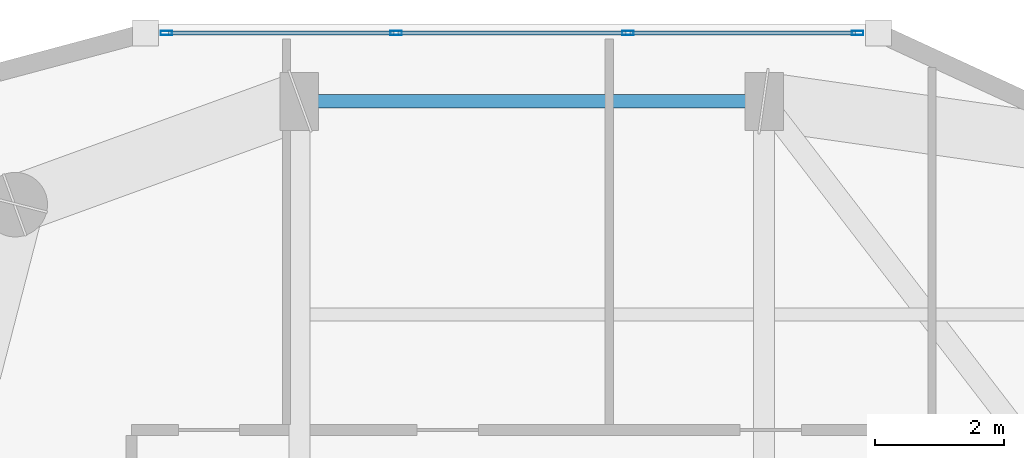
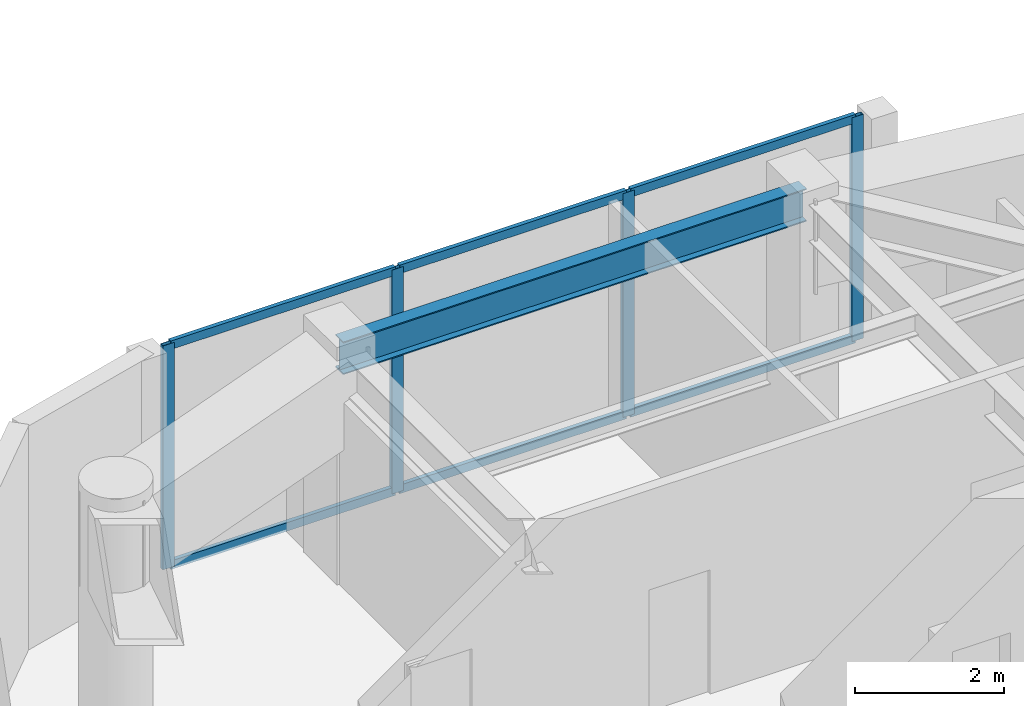
# One storey, part 6 of 15: 10 members, 1 beam, 1 element without a shape of its own.
"""IFC4 building model written with IfcOpenShell, lengths in metres."""

from ifc_helpers import new_model, si_unit, direction, frame, origin, origin_2d, place, context, subcontext, project, spatial, hollow_rectangle, i_section, extrude, material, layer, layer_set, material_profile, profile_set, type_object, element, aggregate, save


model = new_model("IFC4")

# Units and contexts
model_context = context("Model", 3, precision=1e-05, world=origin(), true_north=direction((0.0, 1.0)))
body_context = subcontext(model_context, "Body", "Model", "MODEL_VIEW")
ifc_project = project(units=[si_unit("LENGTHUNIT", "METRE"), si_unit("AREAUNIT", "SQUARE_METRE"), si_unit("VOLUMEUNIT", "CUBIC_METRE"), si_unit("PLANEANGLEUNIT", "RADIAN"), si_unit("MASSUNIT", "GRAM", prefix="KILO")], contexts=[model_context])

# Site, building, storey
site_placement = place(None, origin())
site = spatial("IfcSite", under=ifc_project, at=site_placement, CompositionType="ELEMENT")
building_placement = place(site_placement, origin())
building = spatial("IfcBuilding", under=site, at=building_placement, Name="Kiyonajd Concourse Tower", CompositionType="ELEMENT")
storey_placement = place(building_placement, frame((0.0, 0.0, 258.89990234375)))
storey = spatial("IfcBuildingStorey", under=building, at=storey_placement, Name="L65", CompositionType="ELEMENT", Elevation=258.89990234375)

# Beam
ifc_material_1 = material(Name="Steel ASTM A992 Grade 50", Category="steel")
ifc_material_profile_1 = material_profile(ifc_material_1, i_section(OverallWidth=0.2109375, OverallDepth=0.5390625, WebThickness=0.01171875, FlangeThickness=0.018798828125, at=origin_2d()), Name="W530X109")
ifc_profile_set_1 = profile_set([ifc_material_profile_1], Name="Steel ASTM A992 Grade 50")
beam_type = type_object("IfcBeamType", Name="BM-SPAN-530B", PredefinedType="SPANDREL", material=ifc_profile_set_1)
beam_placement = place(storey_placement, frame((39.60009765625, 52.199951171875, 3.41064453125), z_axis=(-1.0, 0.0, 0.0), x_axis=(0.0, -1.0, 0.0)))
element("IfcBeam", 1, at=beam_placement, inside=storey, type_object=beam_type, Name="L65 Perimeter Bundled Tube Spandrel", PredefinedType="SPANDREL", context=body_context, shape_type="SweptSolid", body=[
    extrude(i_section(OverallWidth=0.2109375, OverallDepth=0.5390625, WebThickness=0.01171875, FlangeThickness=0.018798828125, at=origin_2d()), origin(), (0.0, 0.0, 1.0), 7.2001953125),
])

# Curtain wall, members
ifc_material_2 = material(Name="Thermally Broken Anodised Aluminium", Category="aluminium")
ifc_layer = layer(ifc_material_2, 0.179931640625)
ifc_layer_set = layer_set([ifc_layer], Name="Thermally Broken Anodised Aluminium")
curtain_wall_type = type_object("IfcCurtainWallType", Name="CW-SYS-04", PredefinedType="NOTDEFINED", material=ifc_layer_set)
curtain_wall_placement = place(storey_placement, origin())
curtain_wall = element("IfcCurtainWall", 2, at=curtain_wall_placement, inside=storey, type_object=curtain_wall_type, Name="L65 Unitised Curtain Wall CW4", PredefinedType="NOTDEFINED")
ifc_material_profile_2 = material_profile(ifc_material_2, hollow_rectangle(XDim=0.06494140625, YDim=0.179931640625, WallThickness=0.00390625, at=origin_2d()), Name="MULL-65x180")
ifc_profile_set_2 = profile_set([ifc_material_profile_2], Name="Thermally Broken Anodised Aluminium")
member_type_1 = type_object("IfcMemberType", Name="MB-CW-MULL1", PredefinedType="MULLION", material=ifc_profile_set_2)
member_1_placement = place(storey_placement, frame((30.3408203125, 53.260009765625, 0.0), z_axis=(0.0, 0.0, 1.0), x_axis=(0.0, 1.0, 0.0)))
member_1 = element("IfcMember", 3, at=member_1_placement, type_object=member_type_1, Name="CW4 mullion 1", PredefinedType="MULLION", context=body_context, shape_type="SweptSolid", body=[
    extrude(hollow_rectangle(XDim=0.06494140625, YDim=0.179931640625, WallThickness=0.00390625, at=origin_2d()), origin(), (0.0, 0.0, 1.0), 3.68017578125),
])
member_2_placement = place(storey_placement, frame((33.898681640625, 53.260009765625, 0.0), z_axis=(0.0, 0.0, 1.0), x_axis=(0.0, 1.0, 0.0)))
member_2 = element("IfcMember", 4, at=member_2_placement, type_object=member_type_1, Name="CW4 mullion 2", PredefinedType="MULLION", context=body_context, shape_type="SweptSolid", body=[
    extrude(hollow_rectangle(XDim=0.06494140625, YDim=0.179931640625, WallThickness=0.00390625, at=origin_2d()), origin(), (0.0, 0.0, 1.0), 3.68017578125),
])
member_3_placement = place(storey_placement, frame((37.489013671875, 53.260009765625, 0.0), z_axis=(0.0, 0.0, 1.0), x_axis=(0.0, 1.0, 0.0)))
member_3 = element("IfcMember", 5, at=member_3_placement, type_object=member_type_1, Name="CW4 mullion 3", PredefinedType="MULLION", context=body_context, shape_type="SweptSolid", body=[
    extrude(hollow_rectangle(XDim=0.06494140625, YDim=0.179931640625, WallThickness=0.00390625, at=origin_2d()), origin(), (0.0, 0.0, 1.0), 3.68017578125),
])
member_4_placement = place(storey_placement, frame((41.046875, 53.260009765625, 0.0), z_axis=(0.0, 0.0, 1.0), x_axis=(0.0, 1.0, 0.0)))
member_4 = element("IfcMember", 6, at=member_4_placement, type_object=member_type_1, Name="CW4 mullion 4", PredefinedType="MULLION", context=body_context, shape_type="SweptSolid", body=[
    extrude(hollow_rectangle(XDim=0.06494140625, YDim=0.179931640625, WallThickness=0.00390625, at=origin_2d()), origin(), (0.0, 0.0, 1.0), 3.68017578125),
])
ifc_material_profile_3 = material_profile(ifc_material_2, hollow_rectangle(XDim=0.06494140625, YDim=0.139892578125, WallThickness=0.00390625, at=origin_2d()), Name="TRAN-65x140")
ifc_profile_set_3 = profile_set([ifc_material_profile_3], Name="Thermally Broken Anodised Aluminium")
member_type_2 = type_object("IfcMemberType", Name="MB-CW-TRAN1", PredefinedType="USERDEFINED", material=ifc_profile_set_3)
member_5_placement = place(storey_placement, frame((30.373291015625, 53.260009765625, 0.03271484375), z_axis=(1.0, 0.0, 0.0), x_axis=(0.0, 1.0, 0.0)))
member_5 = element("IfcMember", 7, at=member_5_placement, type_object=member_type_2, Name="CW4 transom 1.1", ObjectType="TRANSOM", PredefinedType="USERDEFINED", context=body_context, shape_type="SweptSolid", body=[
    extrude(hollow_rectangle(XDim=0.06494140625, YDim=0.139892578125, WallThickness=0.00390625, at=origin_2d()), origin(), (0.0, 0.0, 1.0), 3.492919921875),
])
member_6_placement = place(storey_placement, frame((30.373291015625, 53.260009765625, 3.647705078125), z_axis=(1.0, 0.0, 0.0), x_axis=(0.0, 1.0, 0.0)))
member_6 = element("IfcMember", 8, at=member_6_placement, type_object=member_type_2, Name="CW4 transom 1.2", ObjectType="TRANSOM", PredefinedType="USERDEFINED", context=body_context, shape_type="SweptSolid", body=[
    extrude(hollow_rectangle(XDim=0.06494140625, YDim=0.139892578125, WallThickness=0.00390625, at=origin_2d()), origin(), (0.0, 0.0, 1.0), 3.492919921875),
])
member_7_placement = place(storey_placement, frame((33.93115234375, 53.260009765625, 0.03271484375), z_axis=(1.0, 0.0, 0.0), x_axis=(0.0, 1.0, 0.0)))
member_7 = element("IfcMember", 9, at=member_7_placement, type_object=member_type_2, Name="CW4 transom 2.1", ObjectType="TRANSOM", PredefinedType="USERDEFINED", context=body_context, shape_type="SweptSolid", body=[
    extrude(hollow_rectangle(XDim=0.06494140625, YDim=0.139892578125, WallThickness=0.00390625, at=origin_2d()), origin(), (0.0, 0.0, 1.0), 3.525390625),
])
member_8_placement = place(storey_placement, frame((33.93115234375, 53.260009765625, 3.647705078125), z_axis=(1.0, 0.0, 0.0), x_axis=(0.0, 1.0, 0.0)))
member_8 = element("IfcMember", 10, at=member_8_placement, type_object=member_type_2, Name="CW4 transom 2.2", ObjectType="TRANSOM", PredefinedType="USERDEFINED", context=body_context, shape_type="SweptSolid", body=[
    extrude(hollow_rectangle(XDim=0.06494140625, YDim=0.139892578125, WallThickness=0.00390625, at=origin_2d()), origin(), (0.0, 0.0, 1.0), 3.525390625),
])
member_9_placement = place(storey_placement, frame((37.521484375, 53.260009765625, 0.03271484375), z_axis=(1.0, 0.0, 0.0), x_axis=(0.0, 1.0, 0.0)))
member_9 = element("IfcMember", 11, at=member_9_placement, type_object=member_type_2, Name="CW4 transom 3.1", ObjectType="TRANSOM", PredefinedType="USERDEFINED", context=body_context, shape_type="SweptSolid", body=[
    extrude(hollow_rectangle(XDim=0.06494140625, YDim=0.139892578125, WallThickness=0.00390625, at=origin_2d()), origin(), (0.0, 0.0, 1.0), 3.492919921875),
])
member_10_placement = place(storey_placement, frame((37.521484375, 53.260009765625, 3.647705078125), z_axis=(1.0, 0.0, 0.0), x_axis=(0.0, 1.0, 0.0)))
member_10 = element("IfcMember", 12, at=member_10_placement, type_object=member_type_2, Name="CW4 transom 3.2", ObjectType="TRANSOM", PredefinedType="USERDEFINED", context=body_context, shape_type="SweptSolid", body=[
    extrude(hollow_rectangle(XDim=0.06494140625, YDim=0.139892578125, WallThickness=0.00390625, at=origin_2d()), origin(), (0.0, 0.0, 1.0), 3.492919921875),
])
aggregate(curtain_wall, [member_1, member_2, member_3, member_4, member_5, member_6, member_7, member_8, member_9, member_10])

save(model, "model.ifc")
